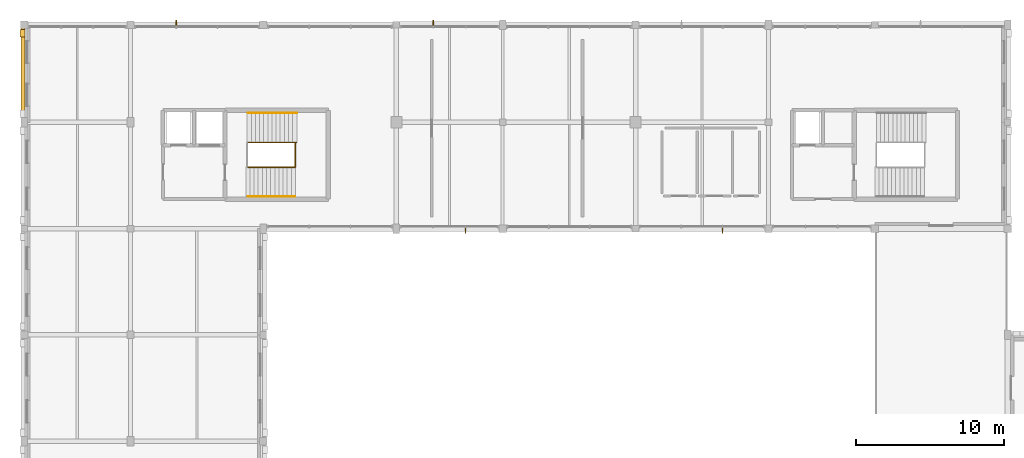
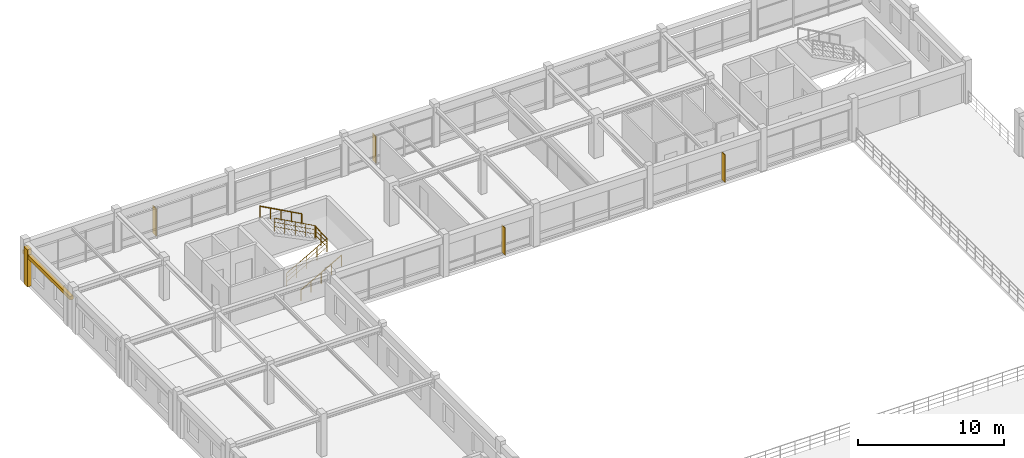
# One storey, part 67 of 74: 5 railings, 4 shading devices, 2 coverings.
"""IFC4 building model written with IfcOpenShell, lengths in metres."""

from ifc_helpers import new_model, si_unit, direction, frame, frame_2d, origin, origin_2d, place, context, subcontext, project, spatial, rectangle, circle, extrude, material, layer, layer_set, type_object, element, save


model = new_model("IFC4")

# Units and contexts
model_context = context("Model", 3, precision=1e-05, world=origin(), true_north=direction((0.0, 1.0)))
body_context = subcontext(model_context, "Body", "Model", "MODEL_VIEW")
ifc_project = project(units=[si_unit("LENGTHUNIT", "METRE"), si_unit("AREAUNIT", "SQUARE_METRE"), si_unit("VOLUMEUNIT", "CUBIC_METRE"), si_unit("PLANEANGLEUNIT", "RADIAN"), si_unit("MASSUNIT", "GRAM", prefix="KILO")], contexts=[model_context])

# Site, building, storey
site_placement = place(None, origin())
site = spatial("IfcSite", under=ifc_project, at=site_placement, CompositionType="ELEMENT")
building_placement = place(site_placement, origin())
building = spatial("IfcBuilding", under=site, at=building_placement, Name="Clarverna Civic Hall", CompositionType="ELEMENT")
storey_placement = place(building_placement, frame((0.0, 0.0, 13.199951171875)))
storey = spatial("IfcBuildingStorey", under=building, at=storey_placement, Name="L03", CompositionType="ELEMENT", Elevation=13.199951171875)

# Coverings
ifc_material_1 = material(Name="Montjuic Buff Limestone Ashlar Cladding", Category="masonry")
ifc_layer_1 = layer(ifc_material_1, 0.070068359375)
ifc_layer_set_1 = layer_set([ifc_layer_1], Name="Montjuic Buff Limestone Ashlar Cladding")
covering_type = type_object("IfcCoveringType", Name="CV-CL2", PredefinedType="CLADDING", material=ifc_layer_set_1)
covering_1_placement = place(storey_placement, frame((-0.080078125, 109.4599609375, 2.340087890625), z_axis=(0.0, 0.0, 1.0), x_axis=(0.0, 1.0, 0.0)))
element("IfcCovering", 1, at=covering_1_placement, inside=storey, type_object=covering_type, Name="CV-CL2-665", PredefinedType="CLADDING", context=body_context, shape_type="SweptSolid", body=[
    extrude(rectangle(XDim=6.47998046875, YDim=0.280029296875, at=frame_2d((3.239990234375, 0.0))), origin(), (0.0, 0.0, 1.0), 0.300048828125),
])
covering_2_placement = place(storey_placement, frame((-0.110107421875, 115.179931640625, 0.0), z_axis=(0.0, 0.0, 1.0), x_axis=(0.0, 1.0, 0.0)))
element("IfcCovering", 2, at=covering_2_placement, inside=storey, type_object=covering_type, Name="CV-CL2-667", PredefinedType="CLADDING", context=body_context, shape_type="SweptSolid", body=[
    extrude(rectangle(XDim=0.5, YDim=0.340087890625, at=frame_2d((0.25, 0.0))), origin(), (0.0, 0.0, 1.0), 3.10009765625),
])

# Railings
ifc_material_2 = material(Name="Anodised Bronze Architectural Balustrade")
railing_type_1 = type_object("IfcRailingType", Name="GR-02", PredefinedType="BALUSTRADE", material=ifc_material_2)
railing_1_placement = place(storey_placement, frame((15.14990234375, 106.360107421875, 0.0)))
element("IfcRailing", 3, at=railing_1_placement, inside=storey, type_object=railing_type_1, Name="GR-02-115", PredefinedType="BALUSTRADE", context=body_context, shape_type="SweptSolid", body=[
    extrude(circle(Radius=0.02392578125, at=origin_2d()), frame((0.0, 0.0, 1.09619140625), z_axis=(0.871901705862, 0.0, 0.489680932154), x_axis=(0.0, 1.0, 0.0)), (0.0, 0.0, 1.0), 3.676025390625),
    extrude(circle(Radius=0.011962890625, at=origin_2d()), frame((0.0, 0.0, 0.39208984375), z_axis=(0.871901705862, 0.0, 0.489680932154), x_axis=(0.0, 1.0, 0.0)), (0.0, 0.0, 1.0), 3.676025390625),
    extrude(circle(Radius=0.011962890625, at=origin_2d()), frame((0.0, 0.0, 0.76171875), z_axis=(0.871901705862, 0.0, 0.489680932154), x_axis=(0.0, 1.0, 0.0)), (0.0, 0.0, 1.0), 3.676025390625),
    extrude(circle(Radius=0.02099609375, at=origin_2d()), origin(), (0.0, 0.0, 1.0), 1.072021484375),
    extrude(circle(Radius=0.02099609375, at=origin_2d()), frame((0.80126953125, 0.0, 0.449951171875)), (0.0, 0.0, 1.0), 1.072021484375),
    extrude(circle(Radius=0.02099609375, at=origin_2d()), frame((1.6025390625, 0.0, 0.89990234375)), (0.0, 0.0, 1.0), 1.072021484375),
    extrude(circle(Radius=0.02099609375, at=origin_2d()), frame((2.40380859375, 0.0, 1.35009765625)), (0.0, 0.0, 1.0), 1.072021484375),
    extrude(circle(Radius=0.02099609375, at=origin_2d()), frame((3.205078125, 0.0, 1.800048828125)), (0.0, 0.0, 1.0), 1.072021484375),
])
railing_2_placement = place(storey_placement, frame((18.35498046875, 106.360107421875, 1.800048828125)))
element("IfcRailing", 4, at=railing_2_placement, inside=storey, type_object=railing_type_1, Name="GR-02-116", PredefinedType="BALUSTRADE", context=body_context, shape_type="SweptSolid", body=[
    extrude(circle(Radius=0.02392578125, at=origin_2d()), frame((0.0, 0.0, 1.09619140625), z_axis=(0.0, 1.0, 0.0), x_axis=(-1.0, 0.0, 0.0)), (0.0, 0.0, 1.0), 1.679931640625),
    extrude(circle(Radius=0.011962890625, at=origin_2d()), frame((0.0, 0.0, 0.39208984375), z_axis=(0.0, 1.0, 0.0), x_axis=(-1.0, 0.0, 0.0)), (0.0, 0.0, 1.0), 1.679931640625),
    extrude(circle(Radius=0.011962890625, at=origin_2d()), frame((0.0, 0.0, 0.76171875), z_axis=(0.0, 1.0, 0.0), x_axis=(-1.0, 0.0, 0.0)), (0.0, 0.0, 1.0), 1.679931640625),
    extrude(circle(Radius=0.02099609375, at=origin_2d()), origin(), (0.0, 0.0, 1.0), 1.072021484375),
    extrude(circle(Radius=0.02099609375, at=origin_2d()), frame((0.0, 0.83984375, 0.0)), (0.0, 0.0, 1.0), 1.072021484375),
    extrude(circle(Radius=0.02099609375, at=origin_2d()), frame((0.0, 1.679931640625, 0.0)), (0.0, 0.0, 1.0), 1.072021484375),
])
railing_3_placement = place(storey_placement, frame((18.445068359375, 108.0400390625, 1.800048828125)))
element("IfcRailing", 5, at=railing_3_placement, inside=storey, type_object=railing_type_1, Name="GR-02-117", PredefinedType="BALUSTRADE", context=body_context, shape_type="SweptSolid", body=[
    extrude(circle(Radius=0.02392578125, at=origin_2d()), frame((0.0, 0.0, 1.09619140625), z_axis=(-0.877594727342, 0.0, 0.479403269222), x_axis=(0.0, -1.0, 0.0)), (0.0, 0.0, 1.0), 3.7548828125),
    extrude(circle(Radius=0.011962890625, at=origin_2d()), frame((0.0, 0.0, 0.39208984375), z_axis=(-0.877594727342, 0.0, 0.479403269222), x_axis=(0.0, -1.0, 0.0)), (0.0, 0.0, 1.0), 3.7548828125),
    extrude(circle(Radius=0.011962890625, at=origin_2d()), frame((0.0, 0.0, 0.76171875), z_axis=(-0.877594727342, 0.0, 0.479403269222), x_axis=(0.0, -1.0, 0.0)), (0.0, 0.0, 1.0), 3.7548828125),
    extrude(circle(Radius=0.02099609375, at=origin_2d()), origin(), (0.0, 0.0, 1.0), 1.072021484375),
    extrude(circle(Radius=0.02099609375, at=origin_2d()), frame((-0.82373046875, 0.0, 0.449951171875)), (0.0, 0.0, 1.0), 1.072021484375),
    extrude(circle(Radius=0.02099609375, at=origin_2d()), frame((-1.6474609375, 0.0, 0.89990234375)), (0.0, 0.0, 1.0), 1.072021484375),
    extrude(circle(Radius=0.02099609375, at=origin_2d()), frame((-2.471435546875, 0.0, 1.35009765625)), (0.0, 0.0, 1.0), 1.072021484375),
    extrude(circle(Radius=0.02099609375, at=origin_2d()), frame((-3.295166015625, 0.0, 1.800048828125)), (0.0, 0.0, 1.0), 1.072021484375),
])
ifc_material_3 = material(Name="Anodised Bronze Continuous Handrail")
railing_type_2 = type_object("IfcRailingType", Name="HR-01", PredefinedType="HANDRAIL", material=ifc_material_3)
railing_4_placement = place(storey_placement, frame((15.14990234375, 104.3798828125, 0.0)))
element("IfcRailing", 6, at=railing_4_placement, inside=storey, type_object=railing_type_2, Name="HR-01-057", PredefinedType="HANDRAIL", context=body_context, shape_type="SweptSolid", body=[
    extrude(circle(Radius=0.02392578125, at=origin_2d()), frame((0.0, 0.0, 0.89599609375), z_axis=(0.870925075533, 0.0, 0.491415824742), x_axis=(0.0, 1.0, 0.0)), (0.0, 0.0, 1.0), 3.6630859375),
    extrude(circle(Radius=0.02099609375, at=origin_2d()), origin(), (0.0, 0.0, 1.0), 0.871826171875),
    extrude(circle(Radius=0.02099609375, at=origin_2d()), frame((0.797607421875, 0.0, 0.449951171875)), (0.0, 0.0, 1.0), 0.871826171875),
    extrude(circle(Radius=0.02099609375, at=origin_2d()), frame((1.59521484375, 0.0, 0.89990234375)), (0.0, 0.0, 1.0), 0.871826171875),
    extrude(circle(Radius=0.02099609375, at=origin_2d()), frame((2.392578125, 0.0, 1.35009765625)), (0.0, 0.0, 1.0), 0.871826171875),
    extrude(circle(Radius=0.02099609375, at=origin_2d()), frame((3.190185546875, 0.0, 1.800048828125)), (0.0, 0.0, 1.0), 0.871826171875),
])
railing_5_placement = place(storey_placement, frame((18.4599609375, 110.02001953125, 1.800048828125)))
element("IfcRailing", 7, at=railing_5_placement, inside=storey, type_object=railing_type_2, Name="HR-01-058", PredefinedType="HANDRAIL", context=body_context, shape_type="SweptSolid", body=[
    extrude(circle(Radius=0.02392578125, at=origin_2d()), frame((0.0, 0.0, 0.89599609375), z_axis=(-0.878501555178, 0.0, 0.477739487116), x_axis=(0.0, -1.0, 0.0)), (0.0, 0.0, 1.0), 3.767822265625),
    extrude(circle(Radius=0.02099609375, at=origin_2d()), origin(), (0.0, 0.0, 1.0), 0.871826171875),
    extrude(circle(Radius=0.02099609375, at=origin_2d()), frame((-0.82763671875, 0.0, 0.449951171875)), (0.0, 0.0, 1.0), 0.871826171875),
    extrude(circle(Radius=0.02099609375, at=origin_2d()), frame((-1.655029296875, 0.0, 0.89990234375)), (0.0, 0.0, 1.0), 0.871826171875),
    extrude(circle(Radius=0.02099609375, at=origin_2d()), frame((-2.482421875, 0.0, 1.35009765625)), (0.0, 0.0, 1.0), 0.871826171875),
    extrude(circle(Radius=0.02099609375, at=origin_2d()), frame((-3.31005859375, 0.0, 1.800048828125)), (0.0, 0.0, 1.0), 0.871826171875),
])

# Shading devices
ifc_material_4 = material(Name="Anodised Bronze Architectural Solar Fin", Category="aluminium")
ifc_layer_2 = layer(ifc_material_4, 0.054931640625)
ifc_layer_set_2 = layer_set([ifc_layer_2], Name="Anodised Bronze Architectural Solar Fin")
shading_device_type = type_object("IfcShadingDeviceType", Name="SD-FN1", PredefinedType="USERDEFINED", material=ifc_layer_set_2)
shading_device_1_placement = place(storey_placement, frame((10.3076171875, 115.830078125, 0.150146484375), z_axis=(0.0, 0.0, 1.0), x_axis=(0.0, 1.0, 0.0)))
element("IfcShadingDevice", 8, at=shading_device_1_placement, inside=storey, type_object=shading_device_type, Name="SD-FN1-038", ObjectType="FIN", PredefinedType="USERDEFINED", context=body_context, shape_type="SweptSolid", body=[
    extrude(rectangle(XDim=0.47998046875, YDim=0.054931640625, at=frame_2d((0.239990234375, 0.0))), origin(), (0.0, 0.0, 1.0), 2.31982421875),
])
shading_device_2_placement = place(storey_placement, frame((27.69921875, 115.830078125, 0.150146484375), z_axis=(0.0, 0.0, 1.0), x_axis=(0.0, 1.0, 0.0)))
element("IfcShadingDevice", 9, at=shading_device_2_placement, inside=storey, type_object=shading_device_type, Name="SD-FN1-039", ObjectType="FIN", PredefinedType="USERDEFINED", context=body_context, shape_type="SweptSolid", body=[
    extrude(rectangle(XDim=0.47998046875, YDim=0.054931640625, at=frame_2d((0.239990234375, 0.0))), origin(), (0.0, 0.0, 1.0), 2.27978515625),
])
shading_device_3_placement = place(storey_placement, frame((47.283935546875, 102.3701171875, 0.150146484375), z_axis=(0.0, 0.0, 1.0), x_axis=(0.0, -1.0, 0.0)))
element("IfcShadingDevice", 10, at=shading_device_3_placement, inside=storey, type_object=shading_device_type, Name="SD-FN1-042", ObjectType="FIN", PredefinedType="USERDEFINED", context=body_context, shape_type="SweptSolid", body=[
    extrude(rectangle(XDim=0.480224609375, YDim=0.054931640625, at=frame_2d((0.240234375, 0.0))), origin(), (0.0, 0.0, 1.0), 2.31982421875),
])
shading_device_4_placement = place(storey_placement, frame((29.884033203125, 102.3701171875, 0.150146484375), z_axis=(0.0, 0.0, 1.0), x_axis=(0.0, -1.0, 0.0)))
element("IfcShadingDevice", 11, at=shading_device_4_placement, inside=storey, type_object=shading_device_type, Name="SD-FN1-043", ObjectType="FIN", PredefinedType="USERDEFINED", context=body_context, shape_type="SweptSolid", body=[
    extrude(rectangle(XDim=0.480224609375, YDim=0.054931640625, at=frame_2d((0.240234375, 0.0))), origin(), (0.0, 0.0, 1.0), 2.27978515625),
])

save(model, "model.ifc")
